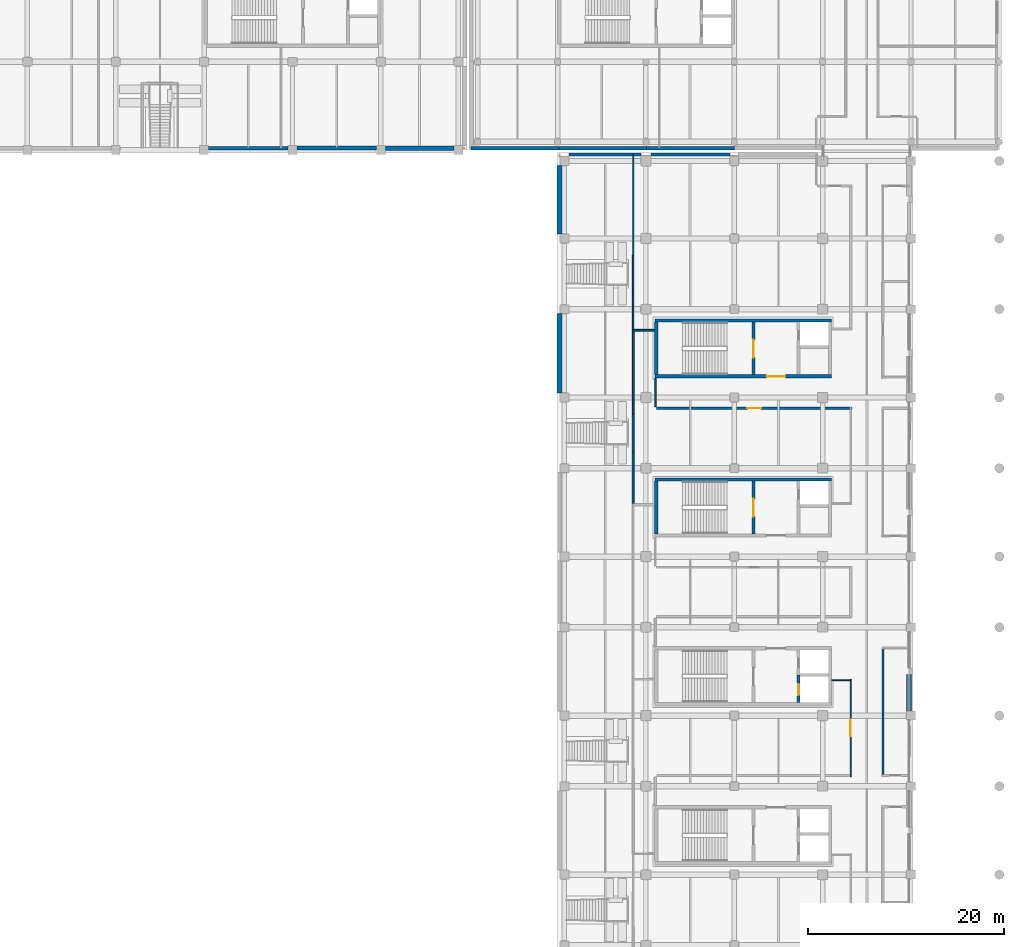
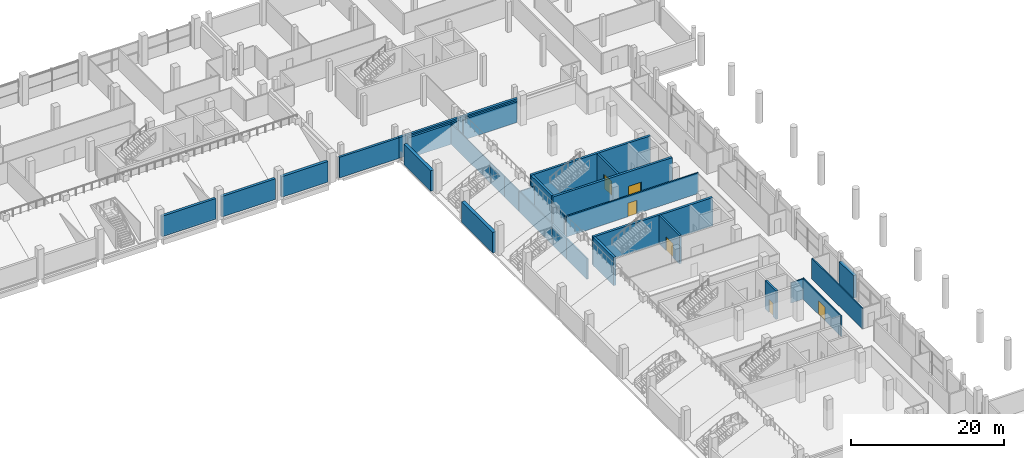
# One storey, part 64 of 100: 31 walls, 6 doors, 6 openings.
"""IFC4 building model written with IfcOpenShell, lengths in metres."""

from ifc_helpers import new_model, si_unit, direction, frame, frame_2d, origin, place, context, subcontext, project, spatial, rectangle, extrude, material, layer, layer_set, type_object, element, fill, save


model = new_model("IFC4")

# Units and contexts
model_context = context("Model", 3, precision=1e-05, world=origin(), true_north=direction((0.0, 1.0)))
body_context = subcontext(model_context, "Body", "Model", "MODEL_VIEW")
ifc_project = project(units=[si_unit("LENGTHUNIT", "METRE"), si_unit("AREAUNIT", "SQUARE_METRE"), si_unit("VOLUMEUNIT", "CUBIC_METRE"), si_unit("PLANEANGLEUNIT", "RADIAN"), si_unit("MASSUNIT", "GRAM", prefix="KILO"), si_unit("THERMODYNAMICTEMPERATUREUNIT", "KELVIN"), si_unit("POWERUNIT", "WATT")], contexts=[model_context])

# Site, building, storey
site_placement = place(None, origin())
site = spatial("IfcSite", under=ifc_project, at=site_placement, CompositionType="ELEMENT")
building_placement = place(site_placement, origin())
building = spatial("IfcBuilding", under=site, at=building_placement, Name="Sindhuravela Promenade Stadium", CompositionType="ELEMENT")
storey_placement = place(building_placement, frame((0.0, 0.0, 4.800048828125)))
storey = spatial("IfcBuildingStorey", under=building, at=storey_placement, Name="L01", CompositionType="ELEMENT", Elevation=4.800048828125)

# Walls
ifc_material_1 = material(Name="Terracotta clay brick masonry (15 MPa)", Category="masonry")
ifc_layer_1 = layer(ifc_material_1, 0.340087890625)
ifc_layer_set_1 = layer_set([ifc_layer_1], Name="Terracotta clay brick masonry (15 MPa)")
wall_type_1 = type_object("IfcWallType", Name="EX-WL-BRK340", PredefinedType="SOLIDWALL", material=ifc_layer_set_1)
wall_1_placement = place(storey_placement, frame((171.13330078125, 126.199951171875, 0.0), z_axis=(0.0, 0.0, 1.0), x_axis=(-1.0, 0.0, 0.0)))
element("IfcWall", 1, at=wall_1_placement, inside=storey, type_object=wall_type_1, Name="Exterior masonry wall EW06 Pavilion NE L01", PredefinedType="SOLIDWALL", context=body_context, shape_type="SweptSolid", body=[
    extrude(rectangle(XDim=8.933349609375, YDim=0.340087890625, at=frame_2d((4.466796875, 0.0))), origin(), (0.0, 0.0, 1.0), 3.280029296875),
])
ifc_layer_2 = layer(ifc_material_1, 0.360107421875)
ifc_layer_set_2 = layer_set([ifc_layer_2], Name="Terracotta clay brick masonry (15 MPa)")
wall_type_2 = type_object("IfcWallType", Name="EX-WL-BRK360", PredefinedType="SOLIDWALL", material=ifc_layer_set_2)
wall_2_placement = place(storey_placement, frame((180.066650390625, 126.199951171875, 0.0), z_axis=(0.0, 0.0, 1.0), x_axis=(-1.0, 0.0, 0.0)))
element("IfcWall", 2, at=wall_2_placement, inside=storey, type_object=wall_type_2, Name="Exterior masonry wall EW05 Pavilion NE L01", PredefinedType="SOLIDWALL", context=body_context, shape_type="SweptSolid", body=[
    extrude(rectangle(XDim=8.933349609375, YDim=0.360107421875, at=frame_2d((4.466796875, 0.0))), origin(), (0.0, 0.0, 1.0), 3.280029296875),
])
ifc_layer_3 = layer(ifc_material_1, 0.3798828125)
ifc_layer_set_3 = layer_set([ifc_layer_3], Name="Terracotta clay brick masonry (15 MPa)")
wall_type_3 = type_object("IfcWallType", Name="EX-WL-BRK380", PredefinedType="SOLIDWALL", material=ifc_layer_set_3)
wall_3_placement = place(storey_placement, frame((143.544921875, 126.199951171875, 0.0), z_axis=(0.0, 0.0, 1.0), x_axis=(-1.0, 0.0, 0.0)))
element("IfcWall", 3, at=wall_3_placement, inside=storey, type_object=wall_type_3, Name="Exterior masonry wall EW04 NORTH L01", PredefinedType="SOLIDWALL", context=body_context, shape_type="SweptSolid", body=[
    extrude(rectangle(XDim=8.08984375, YDim=0.3798828125, at=frame_2d((4.044921875, 0.0))), origin(), (0.0, 0.0, 1.0), 3.280029296875),
])
wall_4_placement = place(storey_placement, frame((189.0, 126.199951171875, 0.0), z_axis=(0.0, 0.0, 1.0), x_axis=(-1.0, 0.0, 0.0)))
element("IfcWall", 4, at=wall_4_placement, inside=storey, type_object=wall_type_3, Name="Exterior masonry wall EW04 Pavilion NE L01", PredefinedType="SOLIDWALL", context=body_context, shape_type="SweptSolid", body=[
    extrude(rectangle(XDim=8.933349609375, YDim=0.3798828125, at=frame_2d((4.466796875, 0.0))), origin(), (0.0, 0.0, 1.0), 3.280029296875),
])
ifc_layer_4 = layer(ifc_material_1, 0.39990234375)
ifc_layer_set_4 = layer_set([ifc_layer_4], Name="Terracotta clay brick masonry (15 MPa)")
wall_type_4 = type_object("IfcWallType", Name="EX-WL-BRK400", PredefinedType="SOLIDWALL", material=ifc_layer_set_4)
wall_5_placement = place(storey_placement, frame((152.544921875, 126.199951171875, 0.0), z_axis=(0.0, 0.0, 1.0), x_axis=(-1.0, 0.0, 0.0)))
element("IfcWall", 5, at=wall_5_placement, inside=storey, type_object=wall_type_4, Name="Exterior masonry wall EW03 NORTH L01", PredefinedType="SOLIDWALL", context=body_context, shape_type="SweptSolid", body=[
    extrude(rectangle(XDim=8.08984375, YDim=0.39990234375, at=frame_2d((4.044921875, 0.0))), origin(), (0.0, 0.0, 1.0), 3.280029296875),
])
ifc_layer_5 = layer(ifc_material_1, 0.419921875)
ifc_layer_set_5 = layer_set([ifc_layer_5], Name="Terracotta clay brick masonry (15 MPa)")
wall_type_5 = type_object("IfcWallType", Name="EX-WL-BRK420", PredefinedType="SOLIDWALL", material=ifc_layer_set_5)
wall_6_placement = place(storey_placement, frame((160.445068359375, 126.199951171875, 0.0), z_axis=(0.0, 0.0, 1.0), x_axis=(-1.0, 0.0, 0.0)))
element("IfcWall", 6, at=wall_6_placement, inside=storey, type_object=wall_type_5, Name="Exterior masonry wall EW02 NORTH L01", PredefinedType="SOLIDWALL", context=body_context, shape_type="SweptSolid", body=[
    extrude(rectangle(XDim=6.989990234375, YDim=0.419921875, at=frame_2d((3.4951171875, 0.0))), origin(), (0.0, 0.0, 1.0), 3.280029296875),
])
ifc_material_2 = material(Name="Dholpur sandstone ashlar (45 MPa)", Category="masonry")
ifc_layer_6 = layer(ifc_material_2, 0.2900390625)
ifc_layer_set_6 = layer_set([ifc_layer_6], Name="Dholpur sandstone ashlar (45 MPa)")
wall_type_6 = type_object("IfcWallType", Name="EX-WL-SND290", PredefinedType="SOLIDWALL", material=ifc_layer_set_6)
wall_7_placement = place(storey_placement, frame((180.5048828125, 125.550048828125, 0.0), z_axis=(0.0, 0.0, 1.0), x_axis=(1.0, 0.0, 0.0)))
element("IfcWall", 7, at=wall_7_placement, inside=storey, type_object=wall_type_6, Name="Exterior masonry wall EW10 EAST L01", PredefinedType="SOLIDWALL", context=body_context, shape_type="SweptSolid", body=[
    extrude(rectangle(XDim=8.0400390625, YDim=0.2900390625, at=frame_2d((4.02001953125, 0.0))), origin(), (0.0, 0.0, 1.0), 3.280029296875),
])
ifc_layer_7 = layer(ifc_material_2, 0.31005859375)
ifc_layer_set_7 = layer_set([ifc_layer_7], Name="Dholpur sandstone ashlar (45 MPa)")
wall_type_7 = type_object("IfcWallType", Name="EX-WL-SND310", PredefinedType="SOLIDWALL", material=ifc_layer_set_7)
wall_8_placement = place(storey_placement, frame((172.155029296875, 125.550048828125, 0.0), z_axis=(0.0, 0.0, 1.0), x_axis=(1.0, 0.0, 0.0)))
element("IfcWall", 8, at=wall_8_placement, inside=storey, type_object=wall_type_7, Name="Exterior masonry wall EW09 EAST L01", PredefinedType="SOLIDWALL", context=body_context, shape_type="SweptSolid", body=[
    extrude(rectangle(XDim=7.340087890625, YDim=0.31005859375, at=frame_2d((3.669921875, 0.0))), origin(), (0.0, 0.0, 1.0), 3.280029296875),
])
ifc_layer_8 = layer(ifc_material_2, 0.47998046875)
ifc_layer_set_8 = layer_set([ifc_layer_8], Name="Dholpur sandstone ashlar (45 MPa)")
wall_type_8 = type_object("IfcWallType", Name="EX-WL-SND480", PredefinedType="SOLIDWALL", material=ifc_layer_set_8)
wall_9_placement = place(storey_placement, frame((171.199951171875, 117.455078125, 0.0), z_axis=(0.0, 0.0, 1.0), x_axis=(0.0, 1.0, 0.0)))
element("IfcWall", 9, at=wall_9_placement, inside=storey, type_object=wall_type_8, Name="Exterior masonry wall EW08 EAST L01", PredefinedType="SOLIDWALL", context=body_context, shape_type="SweptSolid", body=[
    extrude(rectangle(XDim=6.989990234375, YDim=0.47998046875, at=frame_2d((3.4951171875, 0.0))), origin(), (0.0, 0.0, 1.0), 3.280029296875),
])
ifc_layer_9 = layer(ifc_material_2, 0.5)
ifc_layer_set_9 = layer_set([ifc_layer_9], Name="Dholpur sandstone ashlar (45 MPa)")
wall_type_9 = type_object("IfcWallType", Name="EX-WL-SND500", PredefinedType="SOLIDWALL", material=ifc_layer_set_9)
wall_10_placement = place(storey_placement, frame((171.199951171875, 101.2548828125, 0.0), z_axis=(0.0, 0.0, 1.0), x_axis=(0.0, 1.0, 0.0)))
element("IfcWall", 10, at=wall_10_placement, inside=storey, type_object=wall_type_9, Name="Exterior masonry wall EW07 EAST L01", PredefinedType="SOLIDWALL", context=body_context, shape_type="SweptSolid", body=[
    extrude(rectangle(XDim=8.090087890625, YDim=0.5, at=frame_2d((4.044921875, 0.0))), origin(), (0.0, 0.0, 1.0), 3.280029296875),
])
wall_11_placement = place(storey_placement, frame((206.800048828125, 72.570068359375, 0.0), z_axis=(0.0, 0.0, 1.0), x_axis=(0.0, -1.0, 0.0)))
element("IfcWall", 11, at=wall_11_placement, inside=storey, type_object=wall_type_9, Name="Exterior masonry wall EW07 EAST L01", PredefinedType="SOLIDWALL", context=body_context, shape_type="SweptSolid", body=[
    extrude(rectangle(XDim=3.715087890625, YDim=0.5, at=frame_2d((1.857421875, 0.0))), origin(), (0.0, 0.0, 1.0), 3.579833984375),
])
ifc_material_3 = material(Name="Fire-rated gypsum partition board", Category="gypsum")
ifc_layer_10 = layer(ifc_material_3, 0.110107421875)
ifc_layer_set_10 = layer_set([ifc_layer_10], Name="Fire-rated gypsum partition board")
wall_type_10 = type_object("IfcWallType", Name="IN-WL-PAR110", PredefinedType="PARTITIONING", material=ifc_layer_set_10)
wall_12_placement = place(storey_placement, frame((198.927001953125, 71.993896484375, 0.0), z_axis=(0.0, 0.0, 1.0), x_axis=(1.0, 0.0, 0.0)))
element("IfcWall", 12, at=wall_12_placement, inside=storey, type_object=wall_type_10, Name="Interior partition IW06 EAST L01", PredefinedType="PARTITIONING", context=body_context, shape_type="SweptSolid", body=[
    extrude(rectangle(XDim=2.012939453125, YDim=0.110107421875, at=frame_2d((1.00634765625, 0.0))), origin(), (0.0, 0.0, 1.0), 3.280029296875),
])
ifc_layer_11 = layer(ifc_material_3, 0.1298828125)
ifc_layer_set_11 = layer_set([ifc_layer_11], Name="Fire-rated gypsum partition board")
wall_type_11 = type_object("IfcWallType", Name="IN-WL-PAR130", PredefinedType="PARTITIONING", material=ifc_layer_set_11)
wall_13_placement = place(storey_placement, frame((178.699951171875, 115.1201171875, 0.0), z_axis=(0.0, 0.0, 1.0), x_axis=(0.0, 1.0, 0.0)))
element("IfcWall", 13, at=wall_13_placement, inside=storey, type_object=wall_type_11, Name="Interior partition IW05 EAST L01", PredefinedType="PARTITIONING", context=body_context, shape_type="SweptSolid", body=[
    extrude(rectangle(XDim=10.389892578125, YDim=0.1298828125, at=frame_2d((5.19482421875, 0.0))), origin(), (0.0, 0.0, 1.0), 3.280029296875),
])
ifc_layer_12 = layer(ifc_material_3, 0.14990234375)
ifc_layer_set_12 = layer_set([ifc_layer_12], Name="Fire-rated gypsum partition board")
wall_type_12 = type_object("IfcWallType", Name="IN-WL-PAR150", PredefinedType="PARTITIONING", material=ifc_layer_set_12)
wall_14_placement = place(storey_placement, frame((178.699951171875, 111.52001953125, 0.0), z_axis=(0.0, 0.0, 1.0), x_axis=(0.0, 1.0, 0.0)))
element("IfcWall", 14, at=wall_14_placement, inside=storey, type_object=wall_type_12, Name="Interior partition IW04 EAST L01", PredefinedType="PARTITIONING", context=body_context, shape_type="SweptSolid", body=[
    extrude(rectangle(XDim=3.760009765625, YDim=0.14990234375, at=frame_2d((1.8798828125, 0.0))), origin(), (0.0, 0.0, 1.0), 3.280029296875),
])
wall_15_placement = place(storey_placement, frame((178.699951171875, 107.697998046875, 0.0), z_axis=(0.0, 0.0, 1.0), x_axis=(0.0, 1.0, 0.0)))
element("IfcWall", 15, at=wall_15_placement, inside=storey, type_object=wall_type_12, Name="Interior partition IW04 EAST L01", PredefinedType="PARTITIONING", context=body_context, shape_type="SweptSolid", body=[
    extrude(rectangle(XDim=3.98193359375, YDim=0.14990234375, at=frame_2d((1.990966796875, 0.0))), origin(), (0.0, 0.0, 1.0), 3.280029296875),
])
wall_16_placement = place(storey_placement, frame((180.9599609375, 102.77294921875, 0.0), z_axis=(0.0, 0.0, 1.0), x_axis=(0.0, -1.0, 0.0)))
element("IfcWall", 16, at=wall_16_placement, inside=storey, type_object=wall_type_12, Name="Interior partition IW04 EAST L01", PredefinedType="PARTITIONING", context=body_context, shape_type="SweptSolid", body=[
    extrude(rectangle(XDim=2.90283203125, YDim=0.14990234375, at=frame_2d((1.451416015625, 0.0))), origin(), (0.0, 0.0, 1.0), 3.280029296875),
])
ifc_layer_13 = layer(ifc_material_3, 0.175048828125)
ifc_layer_set_13 = layer_set([ifc_layer_13], Name="Fire-rated gypsum partition board")
wall_type_13 = type_object("IfcWallType", Name="IN-WL-PAR175", PredefinedType="PARTITIONING", material=ifc_layer_set_13)
wall_17_placement = place(storey_placement, frame((180.873046875, 107.657958984375, 0.0), z_axis=(0.0, 0.0, 1.0), x_axis=(-1.0, 0.0, 0.0)))
element("IfcWall", 17, at=wall_17_placement, inside=storey, type_object=wall_type_13, Name="Interior partition IW03 EAST L01", PredefinedType="PARTITIONING", context=body_context, shape_type="SweptSolid", body=[
    extrude(rectangle(XDim=2.2529296875, YDim=0.175048828125, at=frame_2d((1.12646484375, 0.0))), origin(), (0.0, 0.0, 1.0), 3.280029296875),
])
wall_18_placement = place(storey_placement, frame((178.699951171875, 98.919921875, 0.0), z_axis=(0.0, 0.0, 1.0), x_axis=(0.0, 1.0, 0.0)))
element("IfcWall", 18, at=wall_18_placement, inside=storey, type_object=wall_type_13, Name="Interior partition IW03 EAST L01", PredefinedType="PARTITIONING", context=body_context, shape_type="SweptSolid", body=[
    extrude(rectangle(XDim=8.697998046875, YDim=0.175048828125, at=frame_2d((4.34912109375, 0.0))), origin(), (0.0, 0.0, 1.0), 3.280029296875),
])

# Wall, opening, door
wall_19_placement = place(storey_placement, frame((200.860107421875, 62.169921875, 0.0), z_axis=(0.0, 0.0, 1.0), x_axis=(0.0, 1.0, 0.0)))
wall_19 = element("IfcWall", 19, at=wall_19_placement, inside=storey, type_object=wall_type_13, Name="Corridor partition IW03 Club Merchandise Gallery", PredefinedType="PARTITIONING", context=body_context, shape_type="SweptSolid", body=[
    extrude(rectangle(XDim=9.944091796875, YDim=0.175048828125, at=frame_2d((4.97216796875, 0.0))), origin(), (0.0, 0.0, 1.0), 3.280029296875),
])
opening_1_placement = place(wall_19_placement, frame((4.1220703125, 0.0, 0.0)))
opening_1 = element("IfcOpeningElement", 20, at=opening_1_placement, cuts=wall_19, Name="Opening ID01", PredefinedType="OPENING", context=body_context, shape_type="SweptSolid", body=[
    extrude(rectangle(XDim=1.699951171875, YDim=2.199951171875, at=frame_2d((0.85009765625, 1.10009765625))), frame((0.0, 0.097412109375, 0.0), z_axis=(0.0, -1.0, 0.0), x_axis=(1.0, 0.0, 0.0)), (0.0, 0.0, 1.0), 0.195068359375),
])
ifc_material_4 = material(Name="Architectural teak timber leaf", Category="wood")
door_type_1 = type_object("IfcDoorType", Name="DR-INT-1700x2200", OperationType="DOUBLE_DOOR_SINGLE_SWING", PredefinedType="DOOR", material=ifc_material_4)
door_1_placement = place(opening_1_placement, origin())
door_1 = element("IfcDoor", 21, at=door_1_placement, inside=storey, type_object=door_type_1, Name="Club Merchandise Gallery door", OperationType="DOUBLE_DOOR_SINGLE_SWING", OverallHeight=2.199951171875, OverallWidth=1.699951171875, PredefinedType="DOOR", context=body_context, shape_type="SweptSolid", body=[
    extrude(rectangle(XDim=1.699951171875, YDim=2.199951171875, at=frame_2d((0.85009765625, 1.10009765625))), frame((0.0, 0.02490234375, 0.0), z_axis=(0.0, -1.0, 0.0), x_axis=(1.0, 0.0, 0.0)), (0.0, 0.0, 1.0), 0.050048828125),
])
fill(opening_1, door_1)

# Walls
wall_20_placement = place(storey_placement, frame((204.139892578125, 62.2099609375, 0.0), z_axis=(0.0, 0.0, 1.0), x_axis=(0.0, 1.0, 0.0)))
element("IfcWall", 22, at=wall_20_placement, inside=storey, type_object=wall_type_13, Name="Interior partition IW03 EAST L01", PredefinedType="PARTITIONING", context=body_context, shape_type="SweptSolid", body=[
    extrude(rectangle(XDim=13.179931640625, YDim=0.175048828125, at=frame_2d((6.58984375, 0.0))), origin(), (0.0, 0.0, 1.0), 3.280029296875),
])
ifc_layer_14 = layer(ifc_material_3, 0.195068359375)
ifc_layer_set_14 = layer_set([ifc_layer_14], Name="Fire-rated gypsum partition board")
wall_type_14 = type_object("IfcWallType", Name="IN-WL-PAR195", PredefinedType="PARTITIONING", material=ifc_layer_set_14)
wall_21_placement = place(storey_placement, frame((178.699951171875, 95.320068359375, 0.0), z_axis=(0.0, 0.0, 1.0), x_axis=(0.0, 1.0, 0.0)))
element("IfcWall", 23, at=wall_21_placement, inside=storey, type_object=wall_type_14, Name="Interior partition IW02 EAST L01", PredefinedType="PARTITIONING", context=body_context, shape_type="SweptSolid", body=[
    extrude(rectangle(XDim=3.760009765625, YDim=0.195068359375, at=frame_2d((1.8798828125, 0.0))), origin(), (0.0, 0.0, 1.0), 3.280029296875),
])
wall_22_placement = place(storey_placement, frame((178.699951171875, 89.926025390625, 0.0), z_axis=(0.0, 0.0, 1.0), x_axis=(0.0, 1.0, 0.0)))
element("IfcWall", 24, at=wall_22_placement, inside=storey, type_object=wall_type_14, Name="Interior partition IW02 EAST L01", PredefinedType="PARTITIONING", context=body_context, shape_type="SweptSolid", body=[
    extrude(rectangle(XDim=5.553955078125, YDim=0.195068359375, at=frame_2d((2.77685546875, 0.0))), origin(), (0.0, 0.0, 1.0), 3.280029296875),
])

# Wall, opening, door
ifc_layer_15 = layer(ifc_material_3, 0.219970703125)
ifc_layer_set_15 = layer_set([ifc_layer_15], Name="Fire-rated gypsum partition board")
wall_type_15 = type_object("IfcWallType", Name="IN-WL-PAR220", PredefinedType="PARTITIONING", material=ifc_layer_set_15)
wall_23_placement = place(storey_placement, frame((200.97998046875, 99.7099609375, 0.0), z_axis=(0.0, 0.0, 1.0), x_axis=(-1.0, 0.0, 0.0)))
wall_23 = element("IfcWall", 25, at=wall_23_placement, inside=storey, type_object=wall_type_15, Name="Corridor partition IW01 Promenade Upper Cafe Veranda", PredefinedType="PARTITIONING", context=body_context, shape_type="SweptSolid", body=[
    extrude(rectangle(XDim=19.89990234375, YDim=0.219970703125, at=frame_2d((9.949951171875, 0.0))), origin(), (0.0, 0.0, 1.0), 3.280029296875),
])
opening_2_placement = place(wall_23_placement, frame((9.25, 0.0, 0.0)))
opening_2 = element("IfcOpeningElement", 26, at=opening_2_placement, cuts=wall_23, Name="Opening ID03", PredefinedType="OPENING", context=body_context, shape_type="SweptSolid", body=[
    extrude(rectangle(XDim=1.39990234375, YDim=2.14990234375, at=frame_2d((0.699951171875, 1.074951171875))), frame((0.0, 0.119873046875, 0.0), z_axis=(0.0, -1.0, 0.0), x_axis=(1.0, 0.0, 0.0)), (0.0, 0.0, 1.0), 0.239990234375),
])
door_type_2 = type_object("IfcDoorType", Name="DR-INT-1400x2150", OperationType="DOUBLE_DOOR_SINGLE_SWING", PredefinedType="DOOR", material=ifc_material_4)
door_2_placement = place(opening_2_placement, origin())
door_2 = element("IfcDoor", 27, at=door_2_placement, inside=storey, type_object=door_type_2, Name="Promenade Upper Cafe Veranda door", OperationType="DOUBLE_DOOR_SINGLE_SWING", OverallHeight=2.14990234375, OverallWidth=1.39990234375, PredefinedType="DOOR", context=body_context, shape_type="SweptSolid", body=[
    extrude(rectangle(XDim=1.39990234375, YDim=2.14990234375, at=frame_2d((0.699951171875, 1.074951171875))), frame((0.0, 0.02490234375, 0.0), z_axis=(0.0, -1.0, 0.0), x_axis=(1.0, 0.0, 0.0)), (0.0, 0.0, 1.0), 0.050048828125),
])
fill(opening_2, door_2)

ifc_material_5 = material(Name="Concrete M50", Category="concrete")
ifc_layer_16 = layer(ifc_material_5, 0.300048828125)
ifc_layer_set_16 = layer_set([ifc_layer_16], Name="Concrete M50")
wall_type_16 = type_object("IfcWallType", Name="RC-SW-300", PredefinedType="SHEAR", material=ifc_layer_set_16)
wall_24_placement = place(storey_placement, frame((195.550048828125, 69.72509765625, 0.0), z_axis=(0.0, 0.0, 1.0), x_axis=(0.0, 1.0, 0.0)))
wall_24 = element("IfcWall", 28, at=wall_24_placement, inside=storey, type_object=wall_type_16, Name="Core shear wall C06-LFT (L01)", PredefinedType="SHEAR", context=body_context, shape_type="SweptSolid", body=[
    extrude(rectangle(XDim=2.824951171875, YDim=0.300048828125, at=frame_2d((1.41259765625, 0.0))), origin(), (0.0, 0.0, 1.0), 4.52001953125),
])
opening_3_placement = place(wall_24_placement, frame((0.77490234375, 0.0, 0.0)))
opening_3 = element("IfcOpeningElement", 29, at=opening_3_placement, cuts=wall_24, Name="Opening LD", PredefinedType="OPENING", context=body_context, shape_type="SweptSolid", body=[
    extrude(rectangle(XDim=1.10009765625, YDim=2.10009765625, at=frame_2d((0.550048828125, 1.050048828125))), frame((0.0, 0.159912109375, 0.0), z_axis=(0.0, -1.0, 0.0), x_axis=(1.0, 0.0, 0.0)), (0.0, 0.0, 1.0), 0.320068359375),
])
ifc_material_6 = material(Name="Architectural wrought steel E350", Category="steel")
door_type_3 = type_object("IfcDoorType", Name="DR-LFT-1100x2100", OperationType="DOUBLE_DOOR_SLIDING", PredefinedType="DOOR", material=ifc_material_6)
door_3_placement = place(opening_3_placement, origin())
door_3 = element("IfcDoor", 30, at=door_3_placement, inside=storey, type_object=door_type_3, Name="Lift PL02 landing door (L01)", OperationType="DOUBLE_DOOR_SLIDING", OverallHeight=2.10009765625, OverallWidth=1.10009765625, PredefinedType="DOOR", context=body_context, shape_type="SweptSolid", body=[
    extrude(rectangle(XDim=1.10009765625, YDim=2.10009765625, at=frame_2d((0.550048828125, 1.050048828125))), frame((0.0, 0.02490234375, 0.0), z_axis=(0.0, -1.0, 0.0), x_axis=(1.0, 0.0, 0.0)), (0.0, 0.0, 1.0), 0.050048828125),
])
fill(opening_3, door_3)

wall_25_placement = place(storey_placement, frame((190.949951171875, 86.925048828125, 0.0), z_axis=(0.0, 0.0, 1.0), x_axis=(0.0, 1.0, 0.0)))
wall_25 = element("IfcWall", 31, at=wall_25_placement, inside=storey, type_object=wall_type_16, Name="Core shear wall C07-ST (L01)", PredefinedType="SHEAR", context=body_context, shape_type="SweptSolid", body=[
    extrude(rectangle(XDim=5.349853515625, YDim=0.300048828125, at=frame_2d((2.6748046875, 0.0))), origin(), (0.0, 0.0, 1.0), 4.52001953125),
])
opening_4_placement = place(wall_25_placement, frame((1.75, 0.0, 0.0)))
opening_4 = element("IfcOpeningElement", 32, at=opening_4_placement, cuts=wall_25, Name="Opening FD01", PredefinedType="OPENING", context=body_context, shape_type="SweptSolid", body=[
    extrude(rectangle(XDim=1.800048828125, YDim=2.25, at=frame_2d((0.89990234375, 1.125))), frame((0.0, 0.159912109375, 0.0), z_axis=(0.0, -1.0, 0.0), x_axis=(1.0, 0.0, 0.0)), (0.0, 0.0, 1.0), 0.320068359375),
])
door_type_4 = type_object("IfcDoorType", Name="DR-CORE-1800x2250", OperationType="DOUBLE_DOOR_SINGLE_SWING", PredefinedType="DOOR", material=ifc_material_6)
door_4_placement = place(opening_4_placement, origin())
door_4 = element("IfcDoor", 33, at=door_4_placement, inside=storey, type_object=door_type_4, Name="Stair ST07 lobby fire door (L01)", OperationType="DOUBLE_DOOR_SINGLE_SWING", OverallHeight=2.25, OverallWidth=1.800048828125, PredefinedType="DOOR", context=body_context, shape_type="SweptSolid", body=[
    extrude(rectangle(XDim=1.800048828125, YDim=2.25, at=frame_2d((0.89990234375, 1.125))), frame((0.0, 0.02490234375, 0.0), z_axis=(0.0, -1.0, 0.0), x_axis=(1.0, 0.0, 0.0)), (0.0, 0.0, 1.0), 0.050048828125),
])
fill(opening_4, door_4)

wall_26_placement = place(storey_placement, frame((190.949951171875, 103.125, 0.0), z_axis=(0.0, 0.0, 1.0), x_axis=(0.0, 1.0, 0.0)))
wall_26 = element("IfcWall", 34, at=wall_26_placement, inside=storey, type_object=wall_type_16, Name="Core shear wall C08-ST (L01)", PredefinedType="SHEAR", context=body_context, shape_type="SweptSolid", body=[
    extrude(rectangle(XDim=5.35009765625, YDim=0.300048828125, at=frame_2d((2.675048828125, 0.0))), origin(), (0.0, 0.0, 1.0), 4.52001953125),
])
opening_5_placement = place(wall_26_placement, frame((1.75, 0.0, 0.0)))
opening_5 = element("IfcOpeningElement", 35, at=opening_5_placement, cuts=wall_26, Name="Opening FD01", PredefinedType="OPENING", context=body_context, shape_type="SweptSolid", body=[
    extrude(rectangle(XDim=1.800048828125, YDim=2.25, at=frame_2d((0.89990234375, 1.125))), frame((0.0, 0.159912109375, 0.0), z_axis=(0.0, -1.0, 0.0), x_axis=(1.0, 0.0, 0.0)), (0.0, 0.0, 1.0), 0.320068359375),
])
door_5_placement = place(opening_5_placement, origin())
door_5 = element("IfcDoor", 36, at=door_5_placement, inside=storey, type_object=door_type_4, Name="Stair ST08 lobby fire door (L01)", OperationType="DOUBLE_DOOR_SINGLE_SWING", OverallHeight=2.25, OverallWidth=1.800048828125, PredefinedType="DOOR", context=body_context, shape_type="SweptSolid", body=[
    extrude(rectangle(XDim=1.800048828125, YDim=2.25, at=frame_2d((0.89990234375, 1.125))), frame((0.0, 0.02490234375, 0.0), z_axis=(0.0, -1.0, 0.0), x_axis=(1.0, 0.0, 0.0)), (0.0, 0.0, 1.0), 0.050048828125),
])
fill(opening_5, door_5)

# Walls
ifc_layer_17 = layer(ifc_material_5, 0.35009765625)
ifc_layer_set_17 = layer_set([ifc_layer_17], Name="Concrete M50")
wall_type_17 = type_object("IfcWallType", Name="RC-SW-350", PredefinedType="SHEAR", material=ifc_layer_set_17)
wall_27_placement = place(storey_placement, frame((198.89990234375, 92.449951171875, 0.0), z_axis=(0.0, 0.0, 1.0), x_axis=(-1.0, 0.0, 0.0)))
element("IfcWall", 37, at=wall_27_placement, inside=storey, type_object=wall_type_17, Name="Core shear wall C07-N (L01)", PredefinedType="SHEAR", context=body_context, shape_type="SweptSolid", body=[
    extrude(rectangle(XDim=18.0, YDim=0.35009765625, at=frame_2d((9.0, 0.0))), origin(), (0.0, 0.0, 1.0), 4.52001953125),
])
wall_28_placement = place(storey_placement, frame((181.050048828125, 92.27490234375, 0.0), z_axis=(0.0, 0.0, 1.0), x_axis=(0.0, -1.0, 0.0)))
element("IfcWall", 38, at=wall_28_placement, inside=storey, type_object=wall_type_17, Name="Core shear wall C07-W (L01)", PredefinedType="SHEAR", context=body_context, shape_type="SweptSolid", body=[
    extrude(rectangle(XDim=5.349853515625, YDim=0.35009765625, at=frame_2d((2.6748046875, 0.0))), origin(), (0.0, 0.0, 1.0), 4.52001953125),
])

# Wall, opening, door
wall_29_placement = place(storey_placement, frame((180.89990234375, 102.949951171875, 0.0), z_axis=(0.0, 0.0, 1.0), x_axis=(1.0, 0.0, 0.0)))
wall_29 = element("IfcWall", 39, at=wall_29_placement, inside=storey, type_object=wall_type_17, Name="Core shear wall C08-S (L01)", PredefinedType="SHEAR", context=body_context, shape_type="SweptSolid", body=[
    extrude(rectangle(XDim=18.0, YDim=0.35009765625, at=frame_2d((9.0, 0.0))), origin(), (0.0, 0.0, 1.0), 4.52001953125),
])
opening_6_placement = place(wall_29_placement, frame((11.39990234375, 0.0, 0.0)))
opening_6 = element("IfcOpeningElement", 40, at=opening_6_placement, cuts=wall_29, Name="Opening FD02", PredefinedType="OPENING", context=body_context, shape_type="SweptSolid", body=[
    extrude(rectangle(XDim=1.89990234375, YDim=2.25, at=frame_2d((0.949951171875, 1.125))), frame((0.0, 0.18505859375, 0.0), z_axis=(0.0, -1.0, 0.0), x_axis=(1.0, 0.0, 0.0)), (0.0, 0.0, 1.0), 0.3701171875),
])
door_type_5 = type_object("IfcDoorType", Name="DR-LOB-1900x2250", OperationType="DOUBLE_DOOR_SINGLE_SWING", PredefinedType="DOOR", material=ifc_material_6)
door_6_placement = place(opening_6_placement, origin())
door_6 = element("IfcDoor", 41, at=door_6_placement, inside=storey, type_object=door_type_5, Name="Protected lobby entrance door C08 (L01)", OperationType="DOUBLE_DOOR_SINGLE_SWING", OverallHeight=2.25, OverallWidth=1.89990234375, PredefinedType="DOOR", context=body_context, shape_type="SweptSolid", body=[
    extrude(rectangle(XDim=1.89990234375, YDim=2.25, at=frame_2d((0.949951171875, 1.125))), frame((0.0, 0.02490234375, 0.0), z_axis=(0.0, -1.0, 0.0), x_axis=(1.0, 0.0, 0.0)), (0.0, 0.0, 1.0), 0.050048828125),
])
fill(opening_6, door_6)

# Walls
wall_30_placement = place(storey_placement, frame((198.89990234375, 108.64990234375, 0.0), z_axis=(0.0, 0.0, 1.0), x_axis=(-1.0, 0.0, 0.0)))
element("IfcWall", 42, at=wall_30_placement, inside=storey, type_object=wall_type_17, Name="Core shear wall C08-N (L01)", PredefinedType="SHEAR", context=body_context, shape_type="SweptSolid", body=[
    extrude(rectangle(XDim=18.0, YDim=0.35009765625, at=frame_2d((9.0, 0.0))), origin(), (0.0, 0.0, 1.0), 4.52001953125),
])
wall_31_placement = place(storey_placement, frame((181.050048828125, 108.47509765625, 0.0), z_axis=(0.0, 0.0, 1.0), x_axis=(0.0, -1.0, 0.0)))
element("IfcWall", 43, at=wall_31_placement, inside=storey, type_object=wall_type_17, Name="Core shear wall C08-W (L01)", PredefinedType="SHEAR", context=body_context, shape_type="SweptSolid", body=[
    extrude(rectangle(XDim=5.35009765625, YDim=0.35009765625, at=frame_2d((2.675048828125, 0.0))), origin(), (0.0, 0.0, 1.0), 4.52001953125),
])

save(model, "model.ifc")
